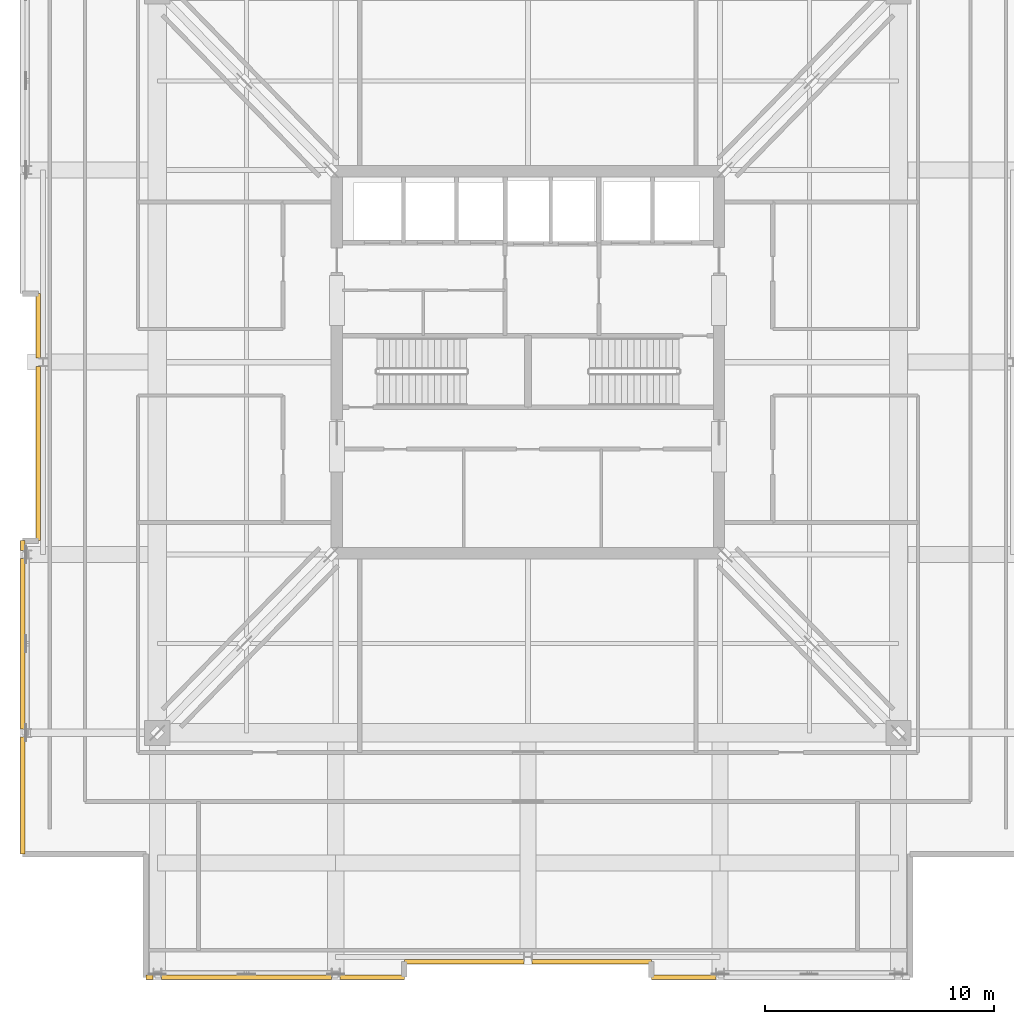
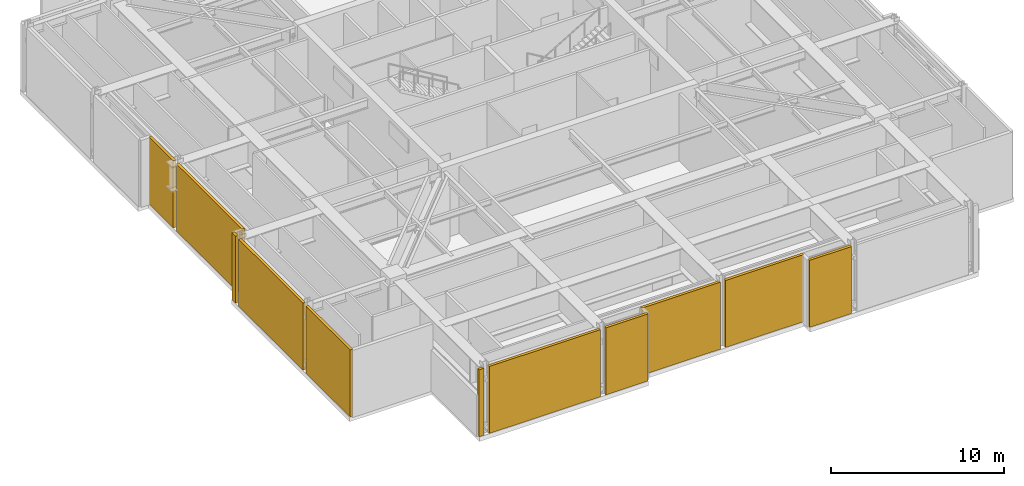
# One storey, part 8 of 10: 11 shading devices.
"""IFC4 building model written with IfcOpenShell, lengths in metres."""

import ifcopenshell
import ifcopenshell.guid

model = None  # the IFC model being written
_history = None  # IfcOwnerHistory: only IFC2X3 demands one
_inside = {}  # id of a spatial element -> (the spatial element, [elements in it])
_under = {}  # id of a project, library or spatial element -> (it, [spatial elements below it])
_declared = {}  # id of a project -> (the project, [libraries it declares])
_typed = {}  # id of a type object -> (the type object, [elements of that type])
_made_of = {}  # id of a material, layer set ... -> (it, [elements and type objects made of it])


def new_model(schema):
    """Start an empty IFC model of exactly this schema.

    Asked for "IFC4X3", IfcOpenShell would pick the latest addendum, in which some entities
    have other attributes; the version numbers below select the first issue.
    IFC2X3 requires an IfcOwnerHistory on every rooted entity: one is made here for all.
    """
    global model, _history
    if schema == "IFC4X3":
        model = ifcopenshell.file(schema_version=(4, 3, 0, 0))
    else:
        model = ifcopenshell.file(schema=schema)
    _inside.clear()
    _under.clear()
    _declared.clear()
    _typed.clear()
    _made_of.clear()
    _history = None
    if model.schema == "IFC2X3":
        org = make("IfcOrganization", Name="unknown")
        user = make(
            "IfcPersonAndOrganization",
            ThePerson=make("IfcPerson", FamilyName="unknown"),
            TheOrganization=org,
        )
        app = make(
            "IfcApplication",
            ApplicationDeveloper=org,
            Version="unknown",
            ApplicationFullName="unknown",
            ApplicationIdentifier="unknown",
        )
        _history = make(
            "IfcOwnerHistory",
            OwningUser=user,
            OwningApplication=app,
            ChangeAction="ADDED",
            CreationDate=0,
        )
    return model


def make(cls, **values):
    """One entity of the class cls with the attributes given. An attribute that is None is left unset."""
    return model.create_entity(
        cls, **{name: value for name, value in values.items() if value is not None}
    )


def rooted(cls, **values):
    """An entity with a GlobalId (a new one), such as an element, a storey or a relation."""
    return make(cls, GlobalId=ifcopenshell.guid.new(), OwnerHistory=_history, **values)


def si_unit(unit_type, name, prefix=None):
    """IfcSIUnit, for example si_unit("LENGTHUNIT", "METRE", prefix="MILLI")."""
    return make("IfcSIUnit", UnitType=unit_type, Prefix=prefix, Name=name)


def assignment(units):
    """IfcUnitAssignment: the units of a project."""
    return None if units is None else make("IfcUnitAssignment", Units=units)


def point(xyz):
    """IfcCartesianPoint."""
    return None if xyz is None else make("IfcCartesianPoint", Coordinates=xyz)


def direction(xyz):
    """IfcDirection."""
    return None if xyz is None else make("IfcDirection", DirectionRatios=xyz)


def frame(location, z_axis=None, x_axis=None):
    """IfcAxis2Placement3D, a coordinate frame: its origin and axes. An axis left out is left unset."""
    return make(
        "IfcAxis2Placement3D",
        Location=point(location),
        Axis=direction(z_axis),
        RefDirection=direction(x_axis),
    )


def frame_2d(location, x_axis=None):
    """IfcAxis2Placement2D, a coordinate frame in the plane: its origin and x axis."""
    return make(
        "IfcAxis2Placement2D", Location=point(location), RefDirection=direction(x_axis)
    )


def origin():
    """The frame at (0, 0, 0) with its axes left unset."""
    return frame((0.0, 0.0, 0.0))


def origin_2d():
    """The frame at (0, 0) in the plane with its x axis left unset."""
    return frame_2d((0.0, 0.0))


def place(relative_to, where):
    """IfcLocalPlacement: puts the frame where relative to a parent placement (None: the world)."""
    return make(
        "IfcLocalPlacement", PlacementRelTo=relative_to, RelativePlacement=where
    )


def context(
    kind, dimensions, precision=None, world=None, true_north=None, identifier=None
):
    """IfcGeometricRepresentationContext, for example the 3D "Model" context."""
    return make(
        "IfcGeometricRepresentationContext",
        ContextIdentifier=identifier,
        ContextType=kind,
        CoordinateSpaceDimension=dimensions,
        Precision=precision,
        WorldCoordinateSystem=world,
        TrueNorth=true_north,
    )


def subcontext(parent, identifier, kind, view, scale=None):
    """IfcGeometricRepresentationSubContext, for example "Body" below "Model"."""
    return make(
        "IfcGeometricRepresentationSubContext",
        ContextIdentifier=identifier,
        ContextType=kind,
        ParentContext=parent,
        TargetScale=scale,
        TargetView=view,
    )


def project(units=None, contexts=None):
    """IfcProject with its units and contexts."""
    return rooted(
        "IfcProject",
        Name="project",
        RepresentationContexts=contexts,
        UnitsInContext=assignment(units),
    )


def spatial(cls, under=None, at=None, **own):
    """A site, building, storey or space (cls), placed at a placement, below another one or the project."""
    s = rooted(cls, ObjectPlacement=at, **own)
    if under is not None:
        _under.setdefault(under.id(), (under, []))[1].append(s)
    return s


def profile(cls, at=None, kind="AREA", **sizes):
    """A parametric profile (cls). Its sizes go by their IFC names, for example OverallWidth=200.0."""
    return make(cls, ProfileType=kind, Position=at, **sizes)


def rectangle(**sizes):
    """IfcRectangleProfileDef."""
    return profile("IfcRectangleProfileDef", **sizes)


def extrude(swept, where, along, depth):
    """IfcExtrudedAreaSolid: the profile swept, set in the frame where, extruded along a direction by depth."""
    return make(
        "IfcExtrudedAreaSolid",
        SweptArea=swept,
        Position=where,
        ExtrudedDirection=direction(along),
        Depth=depth,
    )


def shape(context_of_items, identifier, shape_type, items):
    """IfcShapeRepresentation: the items that make up one representation, for example the "Body"."""
    return make(
        "IfcShapeRepresentation",
        ContextOfItems=context_of_items,
        RepresentationIdentifier=identifier,
        RepresentationType=shape_type,
        Items=items,
    )


def material(Name=None, Category=None):
    """IfcMaterial."""
    return make("IfcMaterial", Name=Name, Category=Category)


def layer(
    of_material, thickness, ventilated=None, Name=None, Category=None, Priority=None
):
    """IfcMaterialLayer: one layer of a wall or slab, of a material (None: an air gap)."""
    return make(
        "IfcMaterialLayer",
        Material=of_material,
        LayerThickness=thickness,
        IsVentilated=ventilated,
        Name=Name,
        Category=Category,
        Priority=Priority,
    )


def layer_set(layers, Name=None):
    """IfcMaterialLayerSet."""
    return make("IfcMaterialLayerSet", MaterialLayers=layers, LayerSetName=Name)


def made_of(thing, what):
    """Note that an element or type object is made of a material, layer set ...; save() writes the relation."""
    if what is not None:
        _made_of.setdefault(what.id(), (what, []))[1].append(thing)
    return thing


def type_object(cls, material=None, **own):
    """A type object (cls), such as IfcWallType, which elements share."""
    return made_of(rooted(cls, **own), material)


def element(
    cls,
    number,
    at=None,
    inside=None,
    cuts=None,
    type_object=None,
    material=None,
    context=None,
    identifier="Body",
    shape_type=None,
    held_by="IfcProductDefinitionShape",
    body=None,
    shapes=None,
    **own,
):
    """One element of the class cls, such as IfcWall. Its Tag is "e" and its number.

    at: its placement. inside: the storey or other place that contains it. cuts: it is an
    opening in that element (IfcRelVoidsElement). A single representation is given by context,
    identifier, shape_type and body (its items); several are given by shapes. held_by: the class
    of the entity that holds the representations. save() writes the other relations.
    """
    e = rooted(cls, Tag="e%d" % number, ObjectPlacement=at, **own)
    if body is not None:
        shapes = [shape(context, identifier, shape_type, body)]
    if shapes is not None:
        e.Representation = make(held_by, Representations=shapes)
    if inside is not None:
        _inside.setdefault(inside.id(), (inside, []))[1].append(e)
    if cuts is not None:
        rooted(
            "IfcRelVoidsElement", RelatingBuildingElement=cuts, RelatedOpeningElement=e
        )
    if type_object is not None:
        _typed.setdefault(type_object.id(), (type_object, []))[1].append(e)
    return made_of(e, material)


def aggregate(whole, parts):
    """IfcRelAggregates: a whole, such as a stair, and the parts it consists of."""
    return rooted("IfcRelAggregates", RelatingObject=whole, RelatedObjects=parts)


def save(model, path):
    """Write the relations noted so far, then the file.

    IfcRelAggregates (storeys below a building ...), IfcRelContainedInSpatialStructure (elements
    in a storey), IfcRelDefinesByType, IfcRelAssociatesMaterial and IfcRelDeclares: one each for
    every whole, place, type object, material and project.
    """
    for whole, parts in _under.values():
        aggregate(whole, parts)
    for where, things in _inside.values():
        rooted(
            "IfcRelContainedInSpatialStructure",
            RelatedElements=things,
            RelatingStructure=where,
        )
    for kind, things in _typed.values():
        rooted("IfcRelDefinesByType", RelatedObjects=things, RelatingType=kind)
    for what, things in _made_of.values():
        rooted("IfcRelAssociatesMaterial", RelatedObjects=things, RelatingMaterial=what)
    for by, libraries in _declared.values():
        rooted("IfcRelDeclares", RelatingContext=by, RelatedDefinitions=libraries)
    model.write(path)


model = new_model("IFC4")

# Units and contexts
model_context = context("Model", 3, precision=1e-05, world=origin(), true_north=direction((0.0, 1.0)))
body_context = subcontext(model_context, "Body", "Model", "MODEL_VIEW")
ifc_project = project(units=[si_unit("LENGTHUNIT", "METRE"), si_unit("AREAUNIT", "SQUARE_METRE"), si_unit("VOLUMEUNIT", "CUBIC_METRE"), si_unit("PLANEANGLEUNIT", "RADIAN"), si_unit("MASSUNIT", "GRAM", prefix="KILO")], contexts=[model_context])

# Site, building, storey
site_placement = place(None, origin())
site = spatial("IfcSite", under=ifc_project, at=site_placement, CompositionType="ELEMENT")
building_placement = place(site_placement, origin())
building = spatial("IfcBuilding", under=site, at=building_placement, Name="Drelvath Grand Hotel", CompositionType="ELEMENT")
storey_placement = place(building_placement, frame((0.0, 0.0, 260.0)))
storey = spatial("IfcBuildingStorey", under=building, at=storey_placement, Name="L68", CompositionType="ELEMENT", Elevation=260.0)

# Shading devices
ifc_material = material(Name="Pale-Metal Anodised Aluminium Louvre", Category="aluminium")
ifc_layer = layer(ifc_material, 0.179931640625)
ifc_layer_set = layer_set([ifc_layer], Name="Pale-Metal Anodised Aluminium Louvre")
shading_device_type = type_object("IfcShadingDeviceType", Name="Mechanical Acoustic Weather Louvre Pale-Metal 180", PredefinedType="USERDEFINED", material=ifc_layer_set)
shading_device_1_placement = place(storey_placement, frame((-22.080078125, 8.060791015625, 0.0), z_axis=(0.0, 0.0, 1.0), x_axis=(0.0, 1.0, 0.0)))
element("IfcShadingDevice", 1, at=shading_device_1_placement, inside=storey, type_object=shading_device_type, Name="L68 Mechanical Plant Acoustic Louvre WS-1", ObjectType="LOUVRE", PredefinedType="USERDEFINED", context=body_context, shape_type="SweptSolid", body=[
    extrude(rectangle(XDim=5.121826171875, YDim=0.179931640625, at=origin_2d()), origin(), (0.0, 0.0, 1.0), 4.739990234375),
])
shading_device_2_placement = place(storey_placement, frame((-22.080078125, 14.699951171875, 0.0), z_axis=(0.0, 0.0, 1.0), x_axis=(0.0, 1.0, 0.0)))
element("IfcShadingDevice", 2, at=shading_device_2_placement, inside=storey, type_object=shading_device_type, Name="L68 Mechanical Plant Acoustic Louvre WS-2", ObjectType="LOUVRE", PredefinedType="USERDEFINED", context=body_context, shape_type="SweptSolid", body=[
    extrude(rectangle(XDim=7.443603515625, YDim=0.179931640625, at=origin_2d()), origin(), (0.0, 0.0, 1.0), 4.739990234375),
])
shading_device_3_placement = place(storey_placement, frame((-22.080078125, 18.989013671875, 0.0), z_axis=(0.0, 0.0, 1.0), x_axis=(0.0, 1.0, 0.0)))
element("IfcShadingDevice", 3, at=shading_device_3_placement, inside=storey, type_object=shading_device_type, Name="L68 Mechanical Plant Acoustic Louvre WS-3", ObjectType="LOUVRE", PredefinedType="USERDEFINED", context=body_context, shape_type="SweptSolid", body=[
    extrude(rectangle(XDim=0.421875, YDim=0.179931640625, at=origin_2d()), origin(), (0.0, 0.0, 1.0), 4.739990234375),
])
shading_device_4_placement = place(storey_placement, frame((-21.39990234375, 23.010986328125, 0.0), z_axis=(0.0, 0.0, 1.0), x_axis=(0.0, 1.0, 0.0)))
element("IfcShadingDevice", 4, at=shading_device_4_placement, inside=storey, type_object=shading_device_type, Name="L68 Mechanical Plant Acoustic Louvre WM-1", ObjectType="LOUVRE", PredefinedType="USERDEFINED", context=body_context, shape_type="SweptSolid", body=[
    extrude(rectangle(XDim=7.621826171875, YDim=0.179931640625, at=origin_2d()), origin(), (0.0, 0.0, 1.0), 4.739990234375),
])
for number, where, z_axis, x_axis, name in (
    (5, (-21.39990234375, 28.589111328125, 0.0), (0.0, 0.0, 1.0), (0.0, 1.0, 0.0), "L68 Mechanical Plant Acoustic Louvre WM-2"),
    (6, (6.810791015625, 0.1201171875, 0.0), (0.0, 0.0, 1.0), (1.0, 0.0, 0.0), "L68 Mechanical Plant Acoustic Louvre SE-1"),
):
    element("IfcShadingDevice", number, at=place(storey_placement, frame(where, z_axis=z_axis, x_axis=x_axis)), inside=storey, type_object=shading_device_type, Name=name, ObjectType="LOUVRE", PredefinedType="USERDEFINED", context=body_context, shape_type="SweptSolid", body=[
        extrude(rectangle(XDim=2.82177734375, YDim=0.179931640625, at=origin_2d()), origin(), (0.0, 0.0, 1.0), 4.739990234375),
    ])
for number, where, z_axis, x_axis, name in (
    (7, (-2.7890625, 0.800048828125, 0.0), (0.0, 0.0, 1.0), (1.0, 0.0, 0.0), "L68 Mechanical Plant Acoustic Louvre SM-1"),
    (8, (2.7890625, 0.800048828125, 0.0), (0.0, 0.0, 1.0), (1.0, 0.0, 0.0), "L68 Mechanical Plant Acoustic Louvre SM-2"),
):
    element("IfcShadingDevice", number, at=place(storey_placement, frame(where, z_axis=z_axis, x_axis=x_axis)), inside=storey, type_object=shading_device_type, Name=name, ObjectType="LOUVRE", PredefinedType="USERDEFINED", context=body_context, shape_type="SweptSolid", body=[
        extrude(rectangle(XDim=5.2216796875, YDim=0.179931640625, at=origin_2d()), origin(), (0.0, 0.0, 1.0), 4.739990234375),
    ])
shading_device_5_placement = place(storey_placement, frame((-16.5390625, 0.1201171875, 0.0), z_axis=(0.0, 0.0, 1.0), x_axis=(1.0, 0.0, 0.0)))
element("IfcShadingDevice", 9, at=shading_device_5_placement, inside=storey, type_object=shading_device_type, Name="L68 Mechanical Plant Acoustic Louvre SW-1", ObjectType="LOUVRE", PredefinedType="USERDEFINED", context=body_context, shape_type="SweptSolid", body=[
    extrude(rectangle(XDim=0.32177734375, YDim=0.179931640625, at=origin_2d()), origin(), (0.0, 0.0, 1.0), 4.739990234375),
])
shading_device_6_placement = place(storey_placement, frame((-12.300048828125, 0.1201171875, 0.0), z_axis=(0.0, 0.0, 1.0), x_axis=(1.0, 0.0, 0.0)))
element("IfcShadingDevice", 10, at=shading_device_6_placement, inside=storey, type_object=shading_device_type, Name="L68 Mechanical Plant Acoustic Louvre SW-2", ObjectType="LOUVRE", PredefinedType="USERDEFINED", context=body_context, shape_type="SweptSolid", body=[
    extrude(rectangle(XDim=7.443603515625, YDim=0.179931640625, at=origin_2d()), origin(), (0.0, 0.0, 1.0), 4.739990234375),
])
shading_device_7_placement = place(storey_placement, frame((-6.810791015625, 0.1201171875, 0.0), z_axis=(0.0, 0.0, 1.0), x_axis=(1.0, 0.0, 0.0)))
element("IfcShadingDevice", 11, at=shading_device_7_placement, inside=storey, type_object=shading_device_type, Name="L68 Mechanical Plant Acoustic Louvre SW-3", ObjectType="LOUVRE", PredefinedType="USERDEFINED", context=body_context, shape_type="SweptSolid", body=[
    extrude(rectangle(XDim=2.82177734375, YDim=0.179931640625, at=origin_2d()), origin(), (0.0, 0.0, 1.0), 4.739990234375),
])

save(model, "model.ifc")
